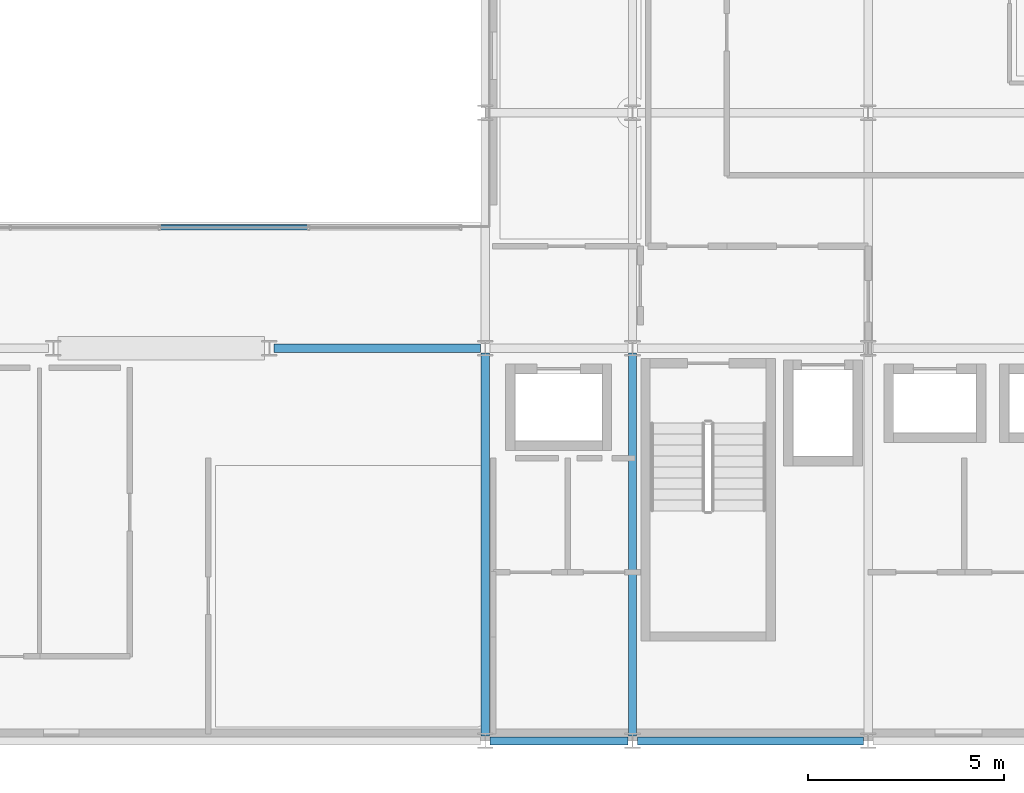
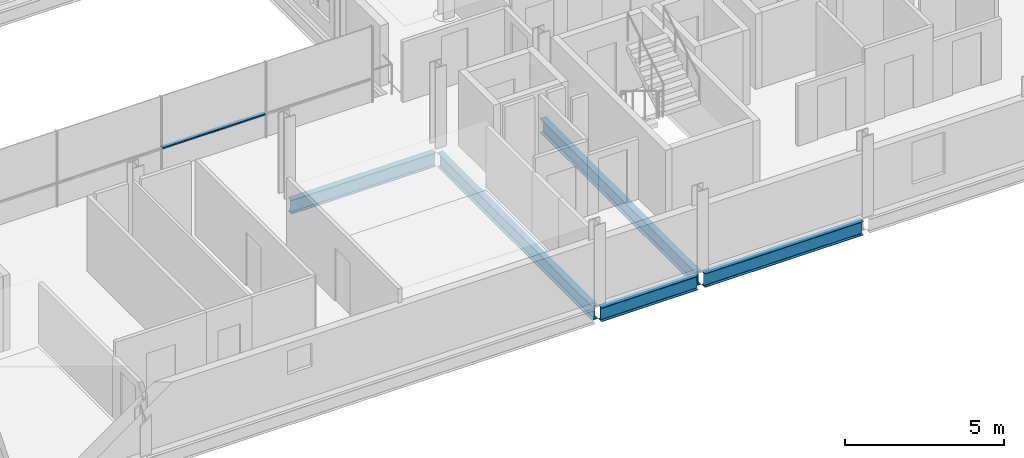
# One storey, part 14 of 38: 5 beams, 1 member, 1 element without a shape of its own.
"""IFC4 building model written with IfcOpenShell, lengths in metres."""

from ifc_helpers import new_model, si_unit, direction, frame, origin, origin_2d, place, context, subcontext, project, spatial, hollow_rectangle, i_section, extrude, material, layer, layer_set, material_profile, profile_set, type_object, element, aggregate, save


model = new_model("IFC4")

# Units and contexts
model_context = context("Model", 3, precision=1e-05, world=origin(), true_north=direction((0.0, 1.0)))
body_context = subcontext(model_context, "Body", "Model", "MODEL_VIEW")
ifc_project = project(units=[si_unit("LENGTHUNIT", "METRE"), si_unit("AREAUNIT", "SQUARE_METRE"), si_unit("VOLUMEUNIT", "CUBIC_METRE"), si_unit("PLANEANGLEUNIT", "RADIAN"), si_unit("MASSUNIT", "GRAM", prefix="KILO")], contexts=[model_context])

# Site, building, storey
site_placement = place(None, origin())
site = spatial("IfcSite", under=ifc_project, at=site_placement, CompositionType="ELEMENT")
building_placement = place(site_placement, origin())
building = spatial("IfcBuilding", under=site, at=building_placement, Name="Brevholm Reach", CompositionType="ELEMENT")
storey_placement = place(building_placement, frame((0.0, 0.0, 186.300048828125)))
storey = spatial("IfcBuildingStorey", under=building, at=storey_placement, Name="L56", CompositionType="ELEMENT", Elevation=186.300048828125)

# Beams
ifc_material_1 = material(Name="Structural Steel S355J2", Category="steel")
ifc_material_profile_1 = material_profile(ifc_material_1, i_section(OverallWidth=0.209228515625, OverallDepth=0.533203125, WebThickness=0.010009765625, FlangeThickness=0.015625, FilletRadius=0.0126953125, at=origin_2d()), Name="UKB 533x210x92")
ifc_profile_set_1 = profile_set([ifc_material_profile_1], Name="Structural Steel S355J2")
beam_type_1 = type_object("IfcBeamType", Name="BM-SP533", PredefinedType="SPANDREL", material=ifc_profile_set_1)
beam_1_placement = place(storey_placement, frame((38.3701171875, 0.0, -0.4765625), z_axis=(1.0, 0.0, 0.0), x_axis=(0.0, 1.0, 0.0)))
element("IfcBeam", 1, at=beam_1_placement, inside=storey, type_object=beam_type_1, Name="L56 SP-02 Framing Beam", PredefinedType="SPANDREL", context=body_context, shape_type="SweptSolid", body=[
    extrude(i_section(OverallWidth=0.209228515625, OverallDepth=0.533203125, WebThickness=0.010009765625, FlangeThickness=0.015625, FilletRadius=0.0126953125, at=origin_2d()), origin(), (0.0, 0.0, 1.0), 3.509765625),
])
beam_2_placement = place(storey_placement, frame((42.1201171875, 0.0, -0.4765625), z_axis=(1.0, 0.0, 0.0), x_axis=(0.0, 1.0, 0.0)))
element("IfcBeam", 2, at=beam_2_placement, inside=storey, type_object=beam_type_1, Name="L56 SP-02 Framing Beam", PredefinedType="SPANDREL", context=body_context, shape_type="SweptSolid", body=[
    extrude(i_section(OverallWidth=0.209228515625, OverallDepth=0.533203125, WebThickness=0.010009765625, FlangeThickness=0.015625, FilletRadius=0.0126953125, at=origin_2d()), origin(), (0.0, 0.0, 1.0), 5.759765625),
])
ifc_material_2 = material(Name="Structural Steel S355J2", Category="steel")
ifc_material_profile_2 = material_profile(ifc_material_2, i_section(OverallWidth=0.210693359375, OverallDepth=0.53955078125, WebThickness=0.01171875, FlangeThickness=0.018798828125, FilletRadius=0.0126953125, at=origin_2d()), Name="UKB 533x210x109")
ifc_profile_set_2 = profile_set([ifc_material_profile_2], Name="Structural Steel S355J2")
beam_type_2 = type_object("IfcBeamType", Name="BM-SP539", PredefinedType="SPANDREL", material=ifc_profile_set_2)
beam_3_placement = place(storey_placement, frame((32.8701171875, 10.0, -0.479736328125), z_axis=(1.0, 0.0, 0.0), x_axis=(0.0, 1.0, 0.0)))
element("IfcBeam", 3, at=beam_3_placement, inside=storey, type_object=beam_type_2, Name="L56 SP-01B Framing Beam", PredefinedType="SPANDREL", context=body_context, shape_type="SweptSolid", body=[
    extrude(i_section(OverallWidth=0.210693359375, OverallDepth=0.53955078125, WebThickness=0.01171875, FlangeThickness=0.018798828125, FilletRadius=0.0126953125, at=origin_2d()), origin(), (0.0, 0.0, 1.0), 5.259765625),
])
for number, where, z_axis, x_axis, name in (
    (4, (38.25, 0.1201171875, -0.479736328125), (0.0, 1.0, 0.0), (-1.0, 0.0, 0.0), "L56 SP-01B Framing Beam"),
    (5, (42.0, 0.1201171875, -0.479736328125), (0.0, 1.0, 0.0), (-1.0, 0.0, 0.0), "L56 SP-01B Framing Beam"),
):
    element("IfcBeam", number, at=place(storey_placement, frame(where, z_axis=z_axis, x_axis=x_axis)), inside=storey, type_object=beam_type_2, Name=name, PredefinedType="SPANDREL", context=body_context, shape_type="SweptSolid", body=[
        extrude(i_section(OverallWidth=0.210693359375, OverallDepth=0.53955078125, WebThickness=0.01171875, FlangeThickness=0.018798828125, FilletRadius=0.0126953125, at=origin_2d()), origin(), (0.0, 0.0, 1.0), 9.759765625),
    ])

# Curtain wall, member
ifc_material_3 = material(Name="Dark Anodised Aluminium 6063-T6 and Solar-Control Glass", Category="aluminium")
ifc_layer = layer(ifc_material_3, 0.139892578125)
ifc_layer_set = layer_set([ifc_layer], Name="Dark Anodised Aluminium 6063-T6 and Solar-Control Glass")
curtain_wall_type = type_object("IfcCurtainWallType", Name="CW-02", PredefinedType="NOTDEFINED", material=ifc_layer_set)
curtain_wall_placement = place(storey_placement, origin())
curtain_wall = element("IfcCurtainWall", 6, at=curtain_wall_placement, inside=storey, type_object=curtain_wall_type, Name="L56 Curtain Wall CW-02", PredefinedType="NOTDEFINED")
ifc_material_4 = material(Name="Dark Anodised Aluminium 6063-T6", Category="aluminium")
ifc_material_profile_3 = material_profile(ifc_material_4, hollow_rectangle(XDim=0.06005859375, YDim=0.139892578125, WallThickness=0.0048828125, InnerFilletRadius=0.0048828125, OuterFilletRadius=0.010009765625, at=origin_2d()), Name="RHS 140x60x5")
ifc_profile_set_3 = profile_set([ifc_material_profile_3], Name="Dark Anodised Aluminium 6063-T6")
member_type = type_object("IfcMemberType", Name="CWT-140", PredefinedType="NOTDEFINED", material=ifc_profile_set_3)
member_placement = place(storey_placement, frame((29.97998046875, 13.080078125, 0.89990234375), z_axis=(1.0, 0.0, 0.0), x_axis=(0.0, 0.0, 1.0)))
member = element("IfcMember", 7, at=member_placement, type_object=member_type, Name="CT-140 Transom 3.1", ObjectType="TRANSOM", PredefinedType="USERDEFINED", context=body_context, shape_type="SweptSolid", body=[
    extrude(hollow_rectangle(XDim=0.06005859375, YDim=0.139892578125, WallThickness=0.0048828125, InnerFilletRadius=0.0048828125, OuterFilletRadius=0.010009765625, at=origin_2d()), origin(), (0.0, 0.0, 1.0), 3.739990234375),
])
aggregate(curtain_wall, [member])

save(model, "model.ifc")
